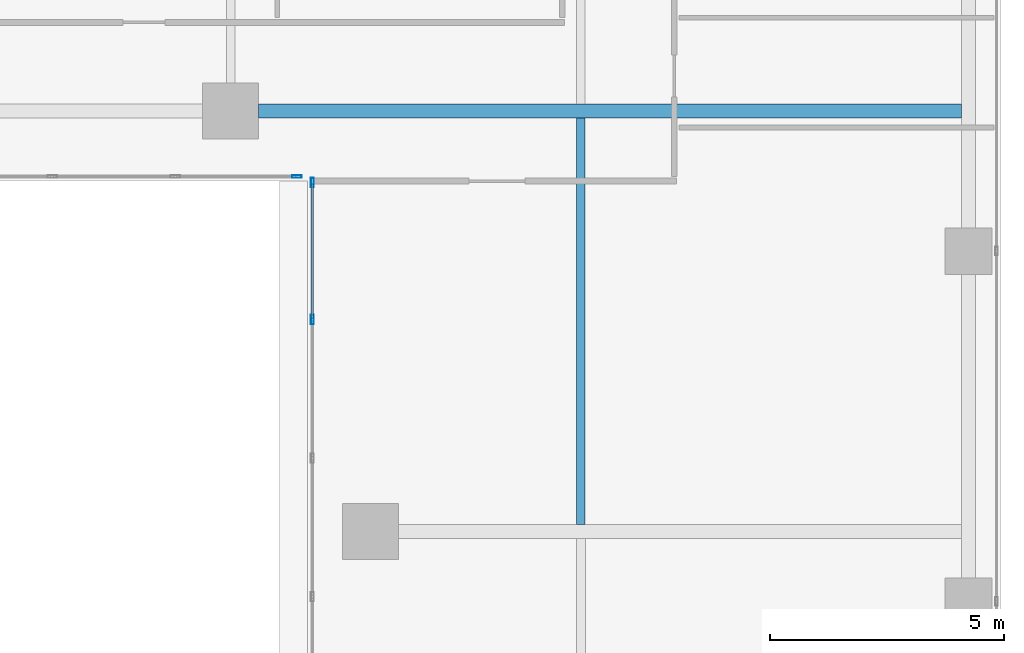
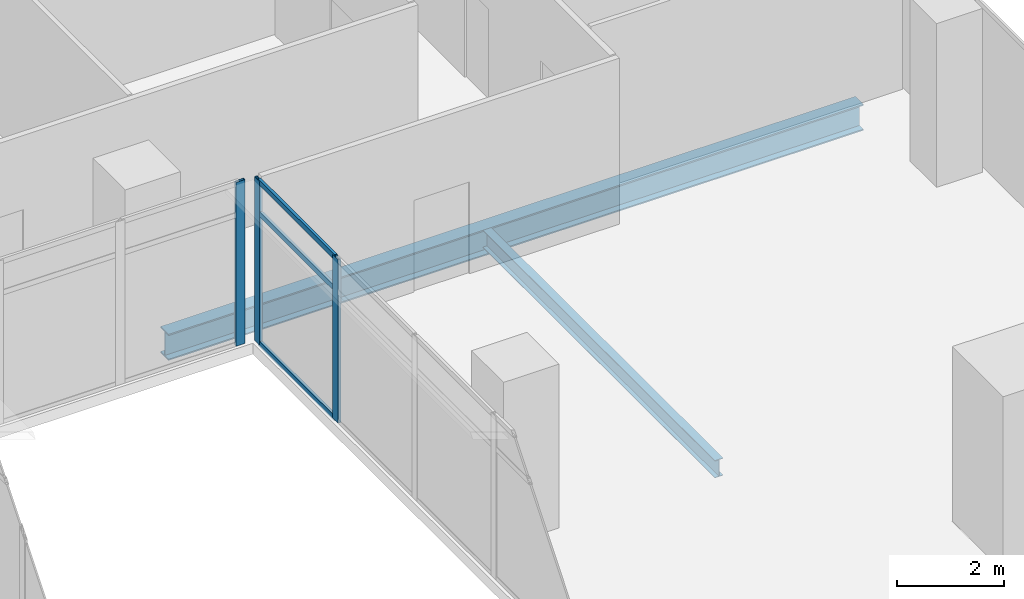
# One storey, part 14 of 40: 6 members, 2 beams, 2 elements without a shape of their own.
"""IFC4 building model written with IfcOpenShell, lengths in metres."""

from ifc_helpers import new_model, si_unit, direction, frame, origin, origin_2d, place, context, subcontext, project, spatial, hollow_rectangle, i_section, extrude, source, transform, mapped, material, material_profile, profile_set, type_object, element, aggregate, save


model = new_model("IFC4")

# Units and contexts
model_context = context("Model", 3, precision=1e-05, world=origin(), true_north=direction((0.0, 1.0)))
body_context = subcontext(model_context, "Body", "Model", "MODEL_VIEW")
ifc_project = project(units=[si_unit("LENGTHUNIT", "METRE"), si_unit("AREAUNIT", "SQUARE_METRE"), si_unit("VOLUMEUNIT", "CUBIC_METRE"), si_unit("PLANEANGLEUNIT", "RADIAN"), si_unit("MASSUNIT", "GRAM", prefix="KILO")], contexts=[model_context])

# Site, building, storey
site_placement = place(None, origin())
site = spatial("IfcSite", under=ifc_project, at=site_placement, CompositionType="ELEMENT")
building_placement = place(site_placement, origin())
building = spatial("IfcBuilding", under=site, at=building_placement, Name="Khomas Fold Tower", CompositionType="ELEMENT")
storey_placement = place(building_placement, frame((0.0, 0.0, 180.699951171875)))
storey = spatial("IfcBuildingStorey", under=building, at=storey_placement, Name="L39", CompositionType="ELEMENT", Elevation=180.699951171875)

# Beams
ifc_material_1 = material(Name="Steel S355", Category="steel")
ifc_material_profile_1 = material_profile(ifc_material_1, i_section(OverallWidth=0.179931640625, OverallDepth=0.39990234375, WebThickness=0.008544921875, FlangeThickness=0.013427734375, at=origin_2d()), Name="IPE 400")
ifc_profile_set_1 = profile_set([ifc_material_profile_1], Name="Steel S355")
beam_type_1 = type_object("IfcBeamType", Name="IPE 400 beam JB3", PredefinedType="BEAM", material=ifc_profile_set_1)
shared_shape_1 = source(origin(), body_context, "Body", "SweptSolid", [
    extrude(i_section(OverallWidth=0.179931640625, OverallDepth=0.39990234375, WebThickness=0.008544921875, FlangeThickness=0.013427734375, at=origin_2d()), origin(), (0.0, 0.0, 1.0), 8.7001953125),
])
beam_1_placement = place(storey_placement, frame((42.0, 13.64990234375, -0.449951171875), z_axis=(0.0, 1.0, 0.0), x_axis=(-1.0, 0.0, 0.0)))
element("IfcBeam", 1, at=beam_1_placement, inside=storey, type_object=beam_type_1, Name="JB3", PredefinedType="BEAM", context=body_context, shape_type="MappedRepresentation", body=[
    mapped(shared_shape_1, transform((0.0, 0.0, 0.0))),
])
ifc_material_2 = material(Name="Steel S355", Category="steel")
ifc_material_profile_2 = material_profile(ifc_material_2, i_section(OverallWidth=0.300048828125, OverallDepth=0.60009765625, WebThickness=0.015380859375, FlangeThickness=0.030029296875, at=origin_2d()), Name="HE 600 B")
ifc_profile_set_2 = profile_set([ifc_material_profile_2], Name="Steel S355")
beam_type_2 = type_object("IfcBeamType", Name="HE 600 B beam GB5", PredefinedType="BEAM", material=ifc_profile_set_2)
shared_shape_2 = source(origin(), body_context, "Body", "SweptSolid", [
    extrude(i_section(OverallWidth=0.300048828125, OverallDepth=0.60009765625, WebThickness=0.015380859375, FlangeThickness=0.030029296875, at=origin_2d()), origin(), (0.0, 0.0, 1.0), 15.0498046875),
])
beam_2_placement = place(storey_placement, frame((35.10009765625, 22.5, -0.550048828125), z_axis=(1.0, 0.0, 0.0), x_axis=(0.0, 1.0, 0.0)))
element("IfcBeam", 2, at=beam_2_placement, inside=storey, type_object=beam_type_2, Name="GB5", PredefinedType="BEAM", context=body_context, shape_type="MappedRepresentation", body=[
    mapped(shared_shape_2, transform((0.0, 0.0, 0.0))),
])

# Curtain wall, members
ifc_material_3 = material(Name="Aluminium framed double glazing", Category="aluminium")
curtain_wall_type = type_object("IfcCurtainWallType", Name="Notch glazing GN-CW", PredefinedType="NOTDEFINED", material=ifc_material_3)
curtain_wall_1_placement = place(storey_placement, origin())
curtain_wall_1 = element("IfcCurtainWall", 3, at=curtain_wall_1_placement, inside=storey, type_object=curtain_wall_type, Name="Notch glazing run", PredefinedType="NOTDEFINED")
ifc_material_4 = material(Name="Aluminium", Category="aluminium")
ifc_material_profile_3 = material_profile(ifc_material_4, hollow_rectangle(XDim=0.06005859375, YDim=0.1201171875, WallThickness=0.00390625, at=origin_2d()), Name="Notch glazing transom GN-CW-T")
ifc_profile_set_3 = profile_set([ifc_material_profile_3], Name="Aluminium")
member_type_1 = type_object("IfcMemberType", Name="Notch glazing transom GN-CW-T", PredefinedType="USERDEFINED", material=ifc_profile_set_3)
shared_shape_3 = source(origin(), body_context, "Body", "SweptSolid", [
    extrude(hollow_rectangle(XDim=0.06005859375, YDim=0.1201171875, WallThickness=0.00390625, at=origin_2d()), origin(), (0.0, 0.0, 1.0), 2.876708984375),
])
member_1_placement = place(storey_placement, frame((36.25, 20.93994140625, 0.030029296875), z_axis=(0.0, -1.0, 0.0), x_axis=(1.0, 0.0, 0.0)))
member_1 = element("IfcMember", 4, at=member_1_placement, type_object=member_type_1, Name="GN-CW transom 1.1", ObjectType="TRANSOM", PredefinedType="USERDEFINED", context=body_context, shape_type="MappedRepresentation", body=[
    mapped(shared_shape_3, transform((0.0, 0.0, 0.0))),
])
member_2_placement = place(storey_placement, frame((36.25, 20.93994140625, 3.0), z_axis=(0.0, -1.0, 0.0), x_axis=(1.0, 0.0, 0.0)))
member_2 = element("IfcMember", 5, at=member_2_placement, type_object=member_type_1, Name="GN-CW transom 1.2", ObjectType="TRANSOM", PredefinedType="USERDEFINED", context=body_context, shape_type="MappedRepresentation", body=[
    mapped(shared_shape_3, transform((0.0, 0.0, 0.0))),
])
member_3_placement = place(storey_placement, frame((36.25, 20.93994140625, 3.719970703125), z_axis=(0.0, -1.0, 0.0), x_axis=(1.0, 0.0, 0.0)))
member_3 = element("IfcMember", 6, at=member_3_placement, type_object=member_type_1, Name="GN-CW transom 1.3", ObjectType="TRANSOM", PredefinedType="USERDEFINED", context=body_context, shape_type="MappedRepresentation", body=[
    mapped(shared_shape_3, transform((0.0, 0.0, 0.0))),
])

# Curtain wall, member
curtain_wall_2_placement = place(storey_placement, origin())
curtain_wall_2 = element("IfcCurtainWall", 7, at=curtain_wall_2_placement, inside=storey, type_object=curtain_wall_type, Name="Notch glazing run", PredefinedType="NOTDEFINED")
ifc_material_5 = material(Name="Aluminium", Category="aluminium")
ifc_material_profile_4 = material_profile(ifc_material_5, hollow_rectangle(XDim=0.06005859375, YDim=0.199951171875, WallThickness=0.00390625, at=origin_2d()), Name="Notch glazing mullion GN-CW-M")
ifc_profile_set_4 = profile_set([ifc_material_profile_4], Name="Aluminium")
member_type_2 = type_object("IfcMemberType", Name="Notch glazing mullion GN-CW-M", PredefinedType="MULLION", material=ifc_profile_set_4)
shared_shape_4 = source(origin(), body_context, "Body", "SweptSolid", [
    extrude(hollow_rectangle(XDim=0.06005859375, YDim=0.199951171875, WallThickness=0.00390625, at=origin_2d()), origin(), (0.0, 0.0, 1.0), 3.75),
])
member_4_placement = place(storey_placement, frame((35.919921875, 21.10009765625, 0.0), z_axis=(0.0, 0.0, 1.0), x_axis=(0.0, 1.0, 0.0)))
member_4 = element("IfcMember", 8, at=member_4_placement, type_object=member_type_2, Name="GN-CW mullion 4", PredefinedType="MULLION", context=body_context, shape_type="MappedRepresentation", body=[
    mapped(shared_shape_4, transform((0.0, 0.0, 0.0))),
])
aggregate(curtain_wall_2, [member_4])

# Member
member_5_placement = place(storey_placement, frame((36.25, 20.969970703125, 0.0), z_axis=(0.0, 0.0, 1.0), x_axis=(1.0, 0.0, 0.0)))
member_5 = element("IfcMember", 9, at=member_5_placement, type_object=member_type_2, Name="GN-CW mullion 1", PredefinedType="MULLION", context=body_context, shape_type="MappedRepresentation", body=[
    mapped(shared_shape_4, transform((0.0, 0.0, 0.0))),
])

member_6_placement = place(storey_placement, frame((36.25, 18.033447265625, 0.0), z_axis=(0.0, 0.0, 1.0), x_axis=(1.0, 0.0, 0.0)))
member_6 = element("IfcMember", 10, at=member_6_placement, type_object=member_type_2, Name="GN-CW mullion 2", PredefinedType="MULLION", context=body_context, shape_type="MappedRepresentation", body=[
    mapped(shared_shape_4, transform((0.0, 0.0, 0.0))),
])

aggregate(curtain_wall_1, [member_5, member_6, member_1, member_2, member_3])

save(model, "model.ifc")
